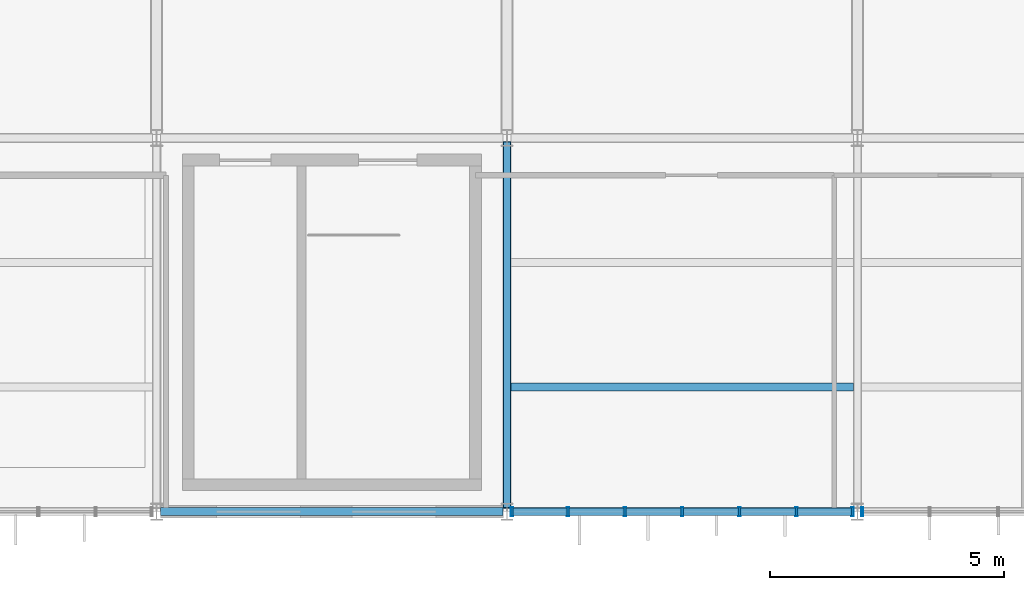
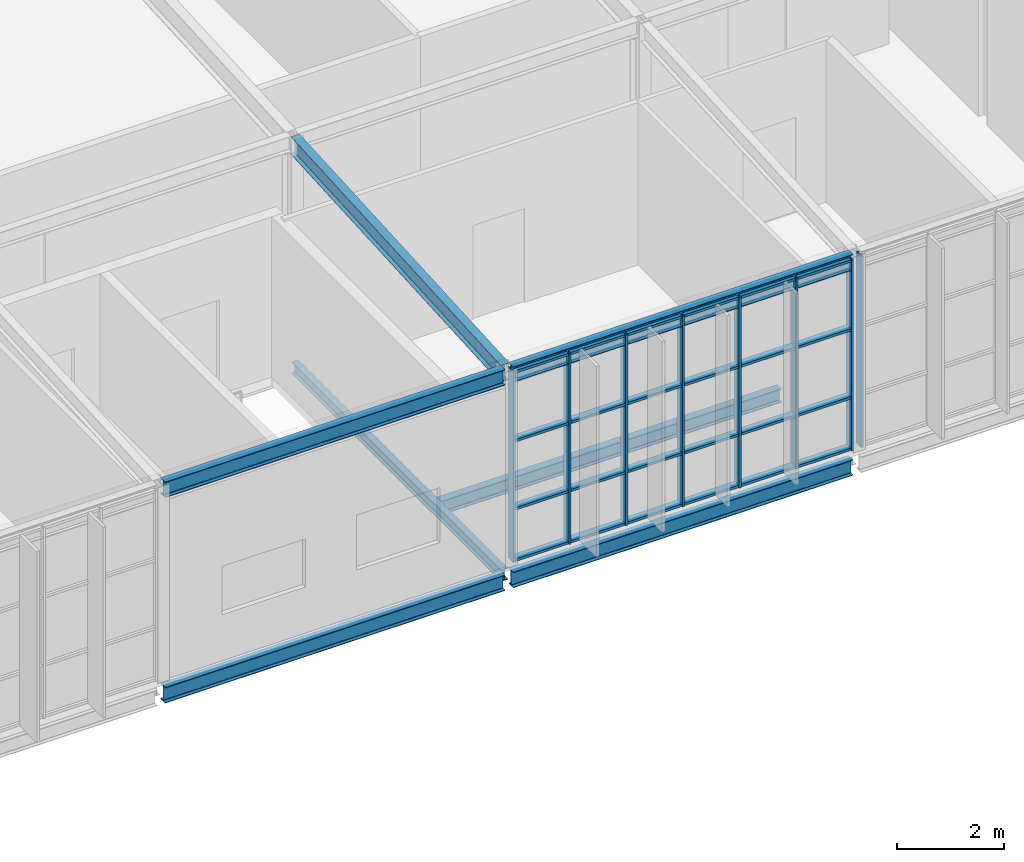
# One storey, part 22 of 104: 32 members, 7 beams, 2 elements without a shape of their own.
"""IFC4 building model written with IfcOpenShell, lengths in metres."""

from ifc_helpers import new_model, si_unit, direction, frame, origin, origin_2d, place, context, subcontext, project, spatial, hollow_rectangle, i_section, extrude, material, layer, layer_set, material_profile, profile_set, type_object, element, aggregate, save


model = new_model("IFC4")

# Units and contexts
model_context = context("Model", 3, precision=1e-05, world=origin(), true_north=direction((0.0, 1.0)))
body_context = subcontext(model_context, "Body", "Model", "MODEL_VIEW")
ifc_project = project(units=[si_unit("LENGTHUNIT", "METRE"), si_unit("AREAUNIT", "SQUARE_METRE"), si_unit("VOLUMEUNIT", "CUBIC_METRE"), si_unit("PLANEANGLEUNIT", "RADIAN"), si_unit("MASSUNIT", "GRAM", prefix="KILO")], contexts=[model_context])

# Site, building, storey
site_placement = place(None, origin())
site = spatial("IfcSite", under=ifc_project, at=site_placement, CompositionType="ELEMENT")
building_placement = place(site_placement, origin())
building = spatial("IfcBuilding", under=site, at=building_placement, Name="Solvenia Promenade Tram Depot", CompositionType="ELEMENT")
storey_placement = place(building_placement, frame((0.0, 0.0, 9.0)))
storey = spatial("IfcBuildingStorey", under=building, at=storey_placement, Name="L02", CompositionType="ELEMENT", Elevation=9.0)

# Beam
ifc_material_1 = material(Name="Structural steel ASTM A992 Gr. 50", Category="steel")
ifc_material_profile_1 = material_profile(ifc_material_1, i_section(OverallWidth=0.178955078125, OverallDepth=0.409912109375, WebThickness=0.0087890625, FlangeThickness=0.014404296875, FilletRadius=0.011962890625, at=origin_2d()), Name="W410x67", Category="steel")
ifc_profile_set_1 = profile_set([ifc_material_profile_1], Name="Structural steel ASTM A992 Gr. 50")
beam_type_1 = type_object("IfcBeamType", Name="Beam-W410x67", PredefinedType="BEAM", material=ifc_profile_set_1)
beam_1_placement = place(storey_placement, frame((37.5, 0.0849609375, 4.2548828125), z_axis=(0.0, 0.998227697106, 0.059510206937), x_axis=(-1.0, 0.0, 0.0)))
element("IfcBeam", 1, at=beam_1_placement, inside=storey, type_object=beam_type_1, Name="Folded Wing Roof Rafter BM-L02-0852", PredefinedType="BEAM", context=body_context, shape_type="SweptSolid", body=[
    extrude(i_section(OverallWidth=0.178955078125, OverallDepth=0.409912109375, WebThickness=0.0087890625, FlangeThickness=0.014404296875, FilletRadius=0.011962890625, at=origin_2d()), origin(), (0.0, 0.0, 1.0), 7.843994140625),
])

# Curtain wall, members
ifc_material_2 = material(Name="Anodized aluminium AW-6063 T6", Category="aluminium")
ifc_layer_1 = layer(ifc_material_2, 0.179931640625, Name="Anodized aluminium AW-6063 T6", Category="aluminium")
ifc_layer_set_1 = layer_set([ifc_layer_1], Name="Anodized aluminium AW-6063 T6")
curtain_wall_type_1 = type_object("IfcCurtainWallType", Name="CW-Solar-1250", PredefinedType="NOTDEFINED", material=ifc_layer_set_1)
curtain_wall_1_placement = place(storey_placement, origin())
curtain_wall_1 = element("IfcCurtainWall", 2, at=curtain_wall_1_placement, inside=storey, type_object=curtain_wall_type_1, Name="Curtain Wall CW-V4S-L02-05", PredefinedType="NOTDEFINED")
ifc_material_profile_2 = material_profile(ifc_material_2, hollow_rectangle(XDim=0.199951171875, YDim=0.048095703125, WallThickness=0.00390625, at=origin_2d()), Name="ALU-M3", Category="aluminium")
ifc_profile_set_2 = profile_set([ifc_material_profile_2], Name="Anodized aluminium AW-6063 T6")
member_type_1 = type_object("IfcMemberType", Name="CWM-Mullion-3", PredefinedType="MULLION", material=ifc_profile_set_2)
member_1_placement = place(storey_placement, frame((37.60400390625, 0.0, 0.0), z_axis=(0.0, 0.0, 1.0), x_axis=(0.0, 1.0, 0.0)))
member_1 = element("IfcMember", 3, at=member_1_placement, type_object=member_type_1, Name="CW-6 mullion 1", PredefinedType="MULLION", context=body_context, shape_type="SweptSolid", body=[
    extrude(hollow_rectangle(XDim=0.199951171875, YDim=0.048095703125, WallThickness=0.00390625, at=origin_2d()), origin(), (0.0, 0.0, 1.0), 4.35009765625),
])
member_2_placement = place(storey_placement, frame((38.80322265625, 0.0, 0.0), z_axis=(0.0, 0.0, 1.0), x_axis=(0.0, 1.0, 0.0)))
member_2 = element("IfcMember", 4, at=member_2_placement, type_object=member_type_1, Name="CW-6 mullion 2", PredefinedType="MULLION", context=body_context, shape_type="SweptSolid", body=[
    extrude(hollow_rectangle(XDim=0.199951171875, YDim=0.048095703125, WallThickness=0.00390625, at=origin_2d()), origin(), (0.0, 0.0, 1.0), 4.35009765625),
])
member_3_placement = place(storey_placement, frame((40.026611328125, 0.0, 0.0), z_axis=(0.0, 0.0, 1.0), x_axis=(0.0, 1.0, 0.0)))
member_3 = element("IfcMember", 5, at=member_3_placement, type_object=member_type_1, Name="CW-6 mullion 3", PredefinedType="MULLION", context=body_context, shape_type="SweptSolid", body=[
    extrude(hollow_rectangle(XDim=0.199951171875, YDim=0.048095703125, WallThickness=0.00390625, at=origin_2d()), origin(), (0.0, 0.0, 1.0), 4.35009765625),
])
member_4_placement = place(storey_placement, frame((41.25, 0.0, 0.0), z_axis=(0.0, 0.0, 1.0), x_axis=(0.0, 1.0, 0.0)))
member_4 = element("IfcMember", 6, at=member_4_placement, type_object=member_type_1, Name="CW-6 mullion 4", PredefinedType="MULLION", context=body_context, shape_type="SweptSolid", body=[
    extrude(hollow_rectangle(XDim=0.199951171875, YDim=0.048095703125, WallThickness=0.00390625, at=origin_2d()), origin(), (0.0, 0.0, 1.0), 4.35009765625),
])
member_5_placement = place(storey_placement, frame((42.473388671875, 0.0, 0.0), z_axis=(0.0, 0.0, 1.0), x_axis=(0.0, 1.0, 0.0)))
member_5 = element("IfcMember", 7, at=member_5_placement, type_object=member_type_1, Name="CW-6 mullion 5", PredefinedType="MULLION", context=body_context, shape_type="SweptSolid", body=[
    extrude(hollow_rectangle(XDim=0.199951171875, YDim=0.048095703125, WallThickness=0.00390625, at=origin_2d()), origin(), (0.0, 0.0, 1.0), 4.35009765625),
])
member_6_placement = place(storey_placement, frame((43.69677734375, 0.0, 0.0), z_axis=(0.0, 0.0, 1.0), x_axis=(0.0, 1.0, 0.0)))
member_6 = element("IfcMember", 8, at=member_6_placement, type_object=member_type_1, Name="CW-6 mullion 6", PredefinedType="MULLION", context=body_context, shape_type="SweptSolid", body=[
    extrude(hollow_rectangle(XDim=0.199951171875, YDim=0.048095703125, WallThickness=0.00390625, at=origin_2d()), origin(), (0.0, 0.0, 1.0), 4.35009765625),
])
member_7_placement = place(storey_placement, frame((44.89599609375, 0.0, 0.0), z_axis=(0.0, 0.0, 1.0), x_axis=(0.0, 1.0, 0.0)))
member_7 = element("IfcMember", 9, at=member_7_placement, type_object=member_type_1, Name="CW-6 mullion 7", PredefinedType="MULLION", context=body_context, shape_type="SweptSolid", body=[
    extrude(hollow_rectangle(XDim=0.199951171875, YDim=0.048095703125, WallThickness=0.00390625, at=origin_2d()), origin(), (0.0, 0.0, 1.0), 4.35009765625),
])

# Curtain wall, member
ifc_layer_2 = layer(ifc_material_2, 0.179931640625, Name="Anodized aluminium AW-6063 T6", Category="aluminium")
ifc_layer_set_2 = layer_set([ifc_layer_2], Name="Anodized aluminium AW-6063 T6")
curtain_wall_type_2 = type_object("IfcCurtainWallType", Name="CW-Solar-1500", PredefinedType="NOTDEFINED", material=ifc_layer_set_2)
curtain_wall_2_placement = place(storey_placement, origin())
curtain_wall_2 = element("IfcCurtainWall", 10, at=curtain_wall_2_placement, inside=storey, type_object=curtain_wall_type_2, Name="Curtain Wall CW-V4S-L02-06", PredefinedType="NOTDEFINED")
member_8_placement = place(storey_placement, frame((45.10400390625, 0.0, 0.0), z_axis=(0.0, 0.0, 1.0), x_axis=(0.0, 1.0, 0.0)))
member_8 = element("IfcMember", 11, at=member_8_placement, type_object=member_type_1, Name="CW-7 mullion 1", PredefinedType="MULLION", context=body_context, shape_type="SweptSolid", body=[
    extrude(hollow_rectangle(XDim=0.199951171875, YDim=0.048095703125, WallThickness=0.00390625, at=origin_2d()), origin(), (0.0, 0.0, 1.0), 4.35009765625),
])
aggregate(curtain_wall_2, [member_8])

# Member
ifc_material_profile_3 = material_profile(ifc_material_2, hollow_rectangle(XDim=0.159912109375, YDim=0.05810546875, WallThickness=0.00390625, at=origin_2d()), Name="ALU-T3", Category="aluminium")
ifc_profile_set_3 = profile_set([ifc_material_profile_3], Name="Anodized aluminium AW-6063 T6")
member_type_2 = type_object("IfcMemberType", Name="CWT-Transom-3", PredefinedType="USERDEFINED", material=ifc_profile_set_3)
member_9_placement = place(storey_placement, frame((37.6279296875, 0.0, 0.029052734375), z_axis=(1.0, 0.0, 0.0), x_axis=(0.0, 1.0, 0.0)))
member_9 = element("IfcMember", 12, at=member_9_placement, type_object=member_type_2, Name="CW-6 transom 1.1", ObjectType="TRANSOM", PredefinedType="USERDEFINED", context=body_context, shape_type="SweptSolid", body=[
    extrude(hollow_rectangle(XDim=0.159912109375, YDim=0.05810546875, WallThickness=0.00390625, at=origin_2d()), origin(), (0.0, 0.0, 1.0), 1.1513671875),
])

member_10_placement = place(storey_placement, frame((37.6279296875, 0.0, 1.199951171875), z_axis=(1.0, 0.0, 0.0), x_axis=(0.0, 1.0, 0.0)))
member_10 = element("IfcMember", 13, at=member_10_placement, type_object=member_type_2, Name="CW-6 transom 1.2", ObjectType="TRANSOM", PredefinedType="USERDEFINED", context=body_context, shape_type="SweptSolid", body=[
    extrude(hollow_rectangle(XDim=0.159912109375, YDim=0.05810546875, WallThickness=0.00390625, at=origin_2d()), origin(), (0.0, 0.0, 1.0), 1.1513671875),
])

member_11_placement = place(storey_placement, frame((37.6279296875, 0.0, 2.75), z_axis=(1.0, 0.0, 0.0), x_axis=(0.0, 1.0, 0.0)))
member_11 = element("IfcMember", 14, at=member_11_placement, type_object=member_type_2, Name="CW-6 transom 1.3", ObjectType="TRANSOM", PredefinedType="USERDEFINED", context=body_context, shape_type="SweptSolid", body=[
    extrude(hollow_rectangle(XDim=0.159912109375, YDim=0.05810546875, WallThickness=0.00390625, at=origin_2d()), origin(), (0.0, 0.0, 1.0), 1.1513671875),
])

member_12_placement = place(storey_placement, frame((37.6279296875, 0.0, 4.321044921875), z_axis=(1.0, 0.0, 0.0), x_axis=(0.0, 1.0, 0.0)))
member_12 = element("IfcMember", 15, at=member_12_placement, type_object=member_type_2, Name="CW-6 transom 1.4", ObjectType="TRANSOM", PredefinedType="USERDEFINED", context=body_context, shape_type="SweptSolid", body=[
    extrude(hollow_rectangle(XDim=0.159912109375, YDim=0.05810546875, WallThickness=0.00390625, at=origin_2d()), origin(), (0.0, 0.0, 1.0), 1.1513671875),
])

member_13_placement = place(storey_placement, frame((38.827392578125, 0.0, 0.029052734375), z_axis=(1.0, 0.0, 0.0), x_axis=(0.0, 1.0, 0.0)))
member_13 = element("IfcMember", 16, at=member_13_placement, type_object=member_type_2, Name="CW-6 transom 2.1", ObjectType="TRANSOM", PredefinedType="USERDEFINED", context=body_context, shape_type="SweptSolid", body=[
    extrude(hollow_rectangle(XDim=0.159912109375, YDim=0.05810546875, WallThickness=0.00390625, at=origin_2d()), origin(), (0.0, 0.0, 1.0), 1.17529296875),
])

member_14_placement = place(storey_placement, frame((38.827392578125, 0.0, 1.199951171875), z_axis=(1.0, 0.0, 0.0), x_axis=(0.0, 1.0, 0.0)))
member_14 = element("IfcMember", 17, at=member_14_placement, type_object=member_type_2, Name="CW-6 transom 2.2", ObjectType="TRANSOM", PredefinedType="USERDEFINED", context=body_context, shape_type="SweptSolid", body=[
    extrude(hollow_rectangle(XDim=0.159912109375, YDim=0.05810546875, WallThickness=0.00390625, at=origin_2d()), origin(), (0.0, 0.0, 1.0), 1.17529296875),
])

member_15_placement = place(storey_placement, frame((38.827392578125, 0.0, 2.75), z_axis=(1.0, 0.0, 0.0), x_axis=(0.0, 1.0, 0.0)))
member_15 = element("IfcMember", 18, at=member_15_placement, type_object=member_type_2, Name="CW-6 transom 2.3", ObjectType="TRANSOM", PredefinedType="USERDEFINED", context=body_context, shape_type="SweptSolid", body=[
    extrude(hollow_rectangle(XDim=0.159912109375, YDim=0.05810546875, WallThickness=0.00390625, at=origin_2d()), origin(), (0.0, 0.0, 1.0), 1.17529296875),
])

member_16_placement = place(storey_placement, frame((38.827392578125, 0.0, 4.321044921875), z_axis=(1.0, 0.0, 0.0), x_axis=(0.0, 1.0, 0.0)))
member_16 = element("IfcMember", 19, at=member_16_placement, type_object=member_type_2, Name="CW-6 transom 2.4", ObjectType="TRANSOM", PredefinedType="USERDEFINED", context=body_context, shape_type="SweptSolid", body=[
    extrude(hollow_rectangle(XDim=0.159912109375, YDim=0.05810546875, WallThickness=0.00390625, at=origin_2d()), origin(), (0.0, 0.0, 1.0), 1.17529296875),
])

member_17_placement = place(storey_placement, frame((40.05078125, 0.0, 0.029052734375), z_axis=(1.0, 0.0, 0.0), x_axis=(0.0, 1.0, 0.0)))
member_17 = element("IfcMember", 20, at=member_17_placement, type_object=member_type_2, Name="CW-6 transom 3.1", ObjectType="TRANSOM", PredefinedType="USERDEFINED", context=body_context, shape_type="SweptSolid", body=[
    extrude(hollow_rectangle(XDim=0.159912109375, YDim=0.05810546875, WallThickness=0.00390625, at=origin_2d()), origin(), (0.0, 0.0, 1.0), 1.17529296875),
])

member_18_placement = place(storey_placement, frame((40.05078125, 0.0, 1.199951171875), z_axis=(1.0, 0.0, 0.0), x_axis=(0.0, 1.0, 0.0)))
member_18 = element("IfcMember", 21, at=member_18_placement, type_object=member_type_2, Name="CW-6 transom 3.2", ObjectType="TRANSOM", PredefinedType="USERDEFINED", context=body_context, shape_type="SweptSolid", body=[
    extrude(hollow_rectangle(XDim=0.159912109375, YDim=0.05810546875, WallThickness=0.00390625, at=origin_2d()), origin(), (0.0, 0.0, 1.0), 1.17529296875),
])

member_19_placement = place(storey_placement, frame((40.05078125, 0.0, 2.75), z_axis=(1.0, 0.0, 0.0), x_axis=(0.0, 1.0, 0.0)))
member_19 = element("IfcMember", 22, at=member_19_placement, type_object=member_type_2, Name="CW-6 transom 3.3", ObjectType="TRANSOM", PredefinedType="USERDEFINED", context=body_context, shape_type="SweptSolid", body=[
    extrude(hollow_rectangle(XDim=0.159912109375, YDim=0.05810546875, WallThickness=0.00390625, at=origin_2d()), origin(), (0.0, 0.0, 1.0), 1.17529296875),
])

member_20_placement = place(storey_placement, frame((40.05078125, 0.0, 4.321044921875), z_axis=(1.0, 0.0, 0.0), x_axis=(0.0, 1.0, 0.0)))
member_20 = element("IfcMember", 23, at=member_20_placement, type_object=member_type_2, Name="CW-6 transom 3.4", ObjectType="TRANSOM", PredefinedType="USERDEFINED", context=body_context, shape_type="SweptSolid", body=[
    extrude(hollow_rectangle(XDim=0.159912109375, YDim=0.05810546875, WallThickness=0.00390625, at=origin_2d()), origin(), (0.0, 0.0, 1.0), 1.17529296875),
])

member_21_placement = place(storey_placement, frame((41.27392578125, 0.0, 0.029052734375), z_axis=(1.0, 0.0, 0.0), x_axis=(0.0, 1.0, 0.0)))
member_21 = element("IfcMember", 24, at=member_21_placement, type_object=member_type_2, Name="CW-6 transom 4.1", ObjectType="TRANSOM", PredefinedType="USERDEFINED", context=body_context, shape_type="SweptSolid", body=[
    extrude(hollow_rectangle(XDim=0.159912109375, YDim=0.05810546875, WallThickness=0.00390625, at=origin_2d()), origin(), (0.0, 0.0, 1.0), 1.17529296875),
])

member_22_placement = place(storey_placement, frame((41.27392578125, 0.0, 1.199951171875), z_axis=(1.0, 0.0, 0.0), x_axis=(0.0, 1.0, 0.0)))
member_22 = element("IfcMember", 25, at=member_22_placement, type_object=member_type_2, Name="CW-6 transom 4.2", ObjectType="TRANSOM", PredefinedType="USERDEFINED", context=body_context, shape_type="SweptSolid", body=[
    extrude(hollow_rectangle(XDim=0.159912109375, YDim=0.05810546875, WallThickness=0.00390625, at=origin_2d()), origin(), (0.0, 0.0, 1.0), 1.17529296875),
])

member_23_placement = place(storey_placement, frame((41.27392578125, 0.0, 2.75), z_axis=(1.0, 0.0, 0.0), x_axis=(0.0, 1.0, 0.0)))
member_23 = element("IfcMember", 26, at=member_23_placement, type_object=member_type_2, Name="CW-6 transom 4.3", ObjectType="TRANSOM", PredefinedType="USERDEFINED", context=body_context, shape_type="SweptSolid", body=[
    extrude(hollow_rectangle(XDim=0.159912109375, YDim=0.05810546875, WallThickness=0.00390625, at=origin_2d()), origin(), (0.0, 0.0, 1.0), 1.17529296875),
])

member_24_placement = place(storey_placement, frame((41.27392578125, 0.0, 4.321044921875), z_axis=(1.0, 0.0, 0.0), x_axis=(0.0, 1.0, 0.0)))
member_24 = element("IfcMember", 27, at=member_24_placement, type_object=member_type_2, Name="CW-6 transom 4.4", ObjectType="TRANSOM", PredefinedType="USERDEFINED", context=body_context, shape_type="SweptSolid", body=[
    extrude(hollow_rectangle(XDim=0.159912109375, YDim=0.05810546875, WallThickness=0.00390625, at=origin_2d()), origin(), (0.0, 0.0, 1.0), 1.17529296875),
])

member_25_placement = place(storey_placement, frame((42.497314453125, 0.0, 0.029052734375), z_axis=(1.0, 0.0, 0.0), x_axis=(0.0, 1.0, 0.0)))
member_25 = element("IfcMember", 28, at=member_25_placement, type_object=member_type_2, Name="CW-6 transom 5.1", ObjectType="TRANSOM", PredefinedType="USERDEFINED", context=body_context, shape_type="SweptSolid", body=[
    extrude(hollow_rectangle(XDim=0.159912109375, YDim=0.05810546875, WallThickness=0.00390625, at=origin_2d()), origin(), (0.0, 0.0, 1.0), 1.17529296875),
])

member_26_placement = place(storey_placement, frame((42.497314453125, 0.0, 1.199951171875), z_axis=(1.0, 0.0, 0.0), x_axis=(0.0, 1.0, 0.0)))
member_26 = element("IfcMember", 29, at=member_26_placement, type_object=member_type_2, Name="CW-6 transom 5.2", ObjectType="TRANSOM", PredefinedType="USERDEFINED", context=body_context, shape_type="SweptSolid", body=[
    extrude(hollow_rectangle(XDim=0.159912109375, YDim=0.05810546875, WallThickness=0.00390625, at=origin_2d()), origin(), (0.0, 0.0, 1.0), 1.17529296875),
])

member_27_placement = place(storey_placement, frame((42.497314453125, 0.0, 2.75), z_axis=(1.0, 0.0, 0.0), x_axis=(0.0, 1.0, 0.0)))
member_27 = element("IfcMember", 30, at=member_27_placement, type_object=member_type_2, Name="CW-6 transom 5.3", ObjectType="TRANSOM", PredefinedType="USERDEFINED", context=body_context, shape_type="SweptSolid", body=[
    extrude(hollow_rectangle(XDim=0.159912109375, YDim=0.05810546875, WallThickness=0.00390625, at=origin_2d()), origin(), (0.0, 0.0, 1.0), 1.17529296875),
])

member_28_placement = place(storey_placement, frame((42.497314453125, 0.0, 4.321044921875), z_axis=(1.0, 0.0, 0.0), x_axis=(0.0, 1.0, 0.0)))
member_28 = element("IfcMember", 31, at=member_28_placement, type_object=member_type_2, Name="CW-6 transom 5.4", ObjectType="TRANSOM", PredefinedType="USERDEFINED", context=body_context, shape_type="SweptSolid", body=[
    extrude(hollow_rectangle(XDim=0.159912109375, YDim=0.05810546875, WallThickness=0.00390625, at=origin_2d()), origin(), (0.0, 0.0, 1.0), 1.17529296875),
])

member_29_placement = place(storey_placement, frame((43.720703125, 0.0, 0.029052734375), z_axis=(1.0, 0.0, 0.0), x_axis=(0.0, 1.0, 0.0)))
member_29 = element("IfcMember", 32, at=member_29_placement, type_object=member_type_2, Name="CW-6 transom 6.1", ObjectType="TRANSOM", PredefinedType="USERDEFINED", context=body_context, shape_type="SweptSolid", body=[
    extrude(hollow_rectangle(XDim=0.159912109375, YDim=0.05810546875, WallThickness=0.00390625, at=origin_2d()), origin(), (0.0, 0.0, 1.0), 1.1513671875),
])

member_30_placement = place(storey_placement, frame((43.720703125, 0.0, 1.199951171875), z_axis=(1.0, 0.0, 0.0), x_axis=(0.0, 1.0, 0.0)))
member_30 = element("IfcMember", 33, at=member_30_placement, type_object=member_type_2, Name="CW-6 transom 6.2", ObjectType="TRANSOM", PredefinedType="USERDEFINED", context=body_context, shape_type="SweptSolid", body=[
    extrude(hollow_rectangle(XDim=0.159912109375, YDim=0.05810546875, WallThickness=0.00390625, at=origin_2d()), origin(), (0.0, 0.0, 1.0), 1.1513671875),
])

member_31_placement = place(storey_placement, frame((43.720703125, 0.0, 2.75), z_axis=(1.0, 0.0, 0.0), x_axis=(0.0, 1.0, 0.0)))
member_31 = element("IfcMember", 34, at=member_31_placement, type_object=member_type_2, Name="CW-6 transom 6.3", ObjectType="TRANSOM", PredefinedType="USERDEFINED", context=body_context, shape_type="SweptSolid", body=[
    extrude(hollow_rectangle(XDim=0.159912109375, YDim=0.05810546875, WallThickness=0.00390625, at=origin_2d()), origin(), (0.0, 0.0, 1.0), 1.1513671875),
])

member_32_placement = place(storey_placement, frame((43.720703125, 0.0, 4.321044921875), z_axis=(1.0, 0.0, 0.0), x_axis=(0.0, 1.0, 0.0)))
member_32 = element("IfcMember", 35, at=member_32_placement, type_object=member_type_2, Name="CW-6 transom 6.4", ObjectType="TRANSOM", PredefinedType="USERDEFINED", context=body_context, shape_type="SweptSolid", body=[
    extrude(hollow_rectangle(XDim=0.159912109375, YDim=0.05810546875, WallThickness=0.00390625, at=origin_2d()), origin(), (0.0, 0.0, 1.0), 1.1513671875),
])

aggregate(curtain_wall_1, [member_1, member_2, member_3, member_4, member_5, member_6, member_7, member_9, member_10, member_11, member_12, member_13, member_14, member_15, member_16, member_17, member_18, member_19, member_20, member_21, member_22, member_23, member_24, member_25, member_26, member_27, member_28, member_29, member_30, member_31, member_32])

# Beams
ifc_material_profile_4 = material_profile(ifc_material_1, i_section(OverallWidth=0.14697265625, OverallDepth=0.261962890625, WebThickness=0.006591796875, FlangeThickness=0.01123046875, FilletRadius=0.010009765625, at=origin_2d()), Name="W250x39", Category="steel")
ifc_profile_set_4 = profile_set([ifc_material_profile_4], Name="Structural steel ASTM A992 Gr. 50")
beam_type_2 = type_object("IfcBeamType", Name="Joist-W250x39", PredefinedType="JOIST", material=ifc_profile_set_4)
beam_2_placement = place(storey_placement, frame((37.5, 0.0849609375, -0.35107421875), z_axis=(0.0, 1.0, 0.0), x_axis=(-1.0, 0.0, 0.0)))
element("IfcBeam", 36, at=beam_2_placement, inside=storey, type_object=beam_type_2, Name="Transverse Girder BM-L02-0552", PredefinedType="JOIST", context=body_context, shape_type="SweptSolid", body=[
    extrude(i_section(OverallWidth=0.14697265625, OverallDepth=0.261962890625, WebThickness=0.006591796875, FlangeThickness=0.01123046875, FilletRadius=0.010009765625, at=origin_2d()), origin(), (0.0, 0.0, 1.0), 7.830078125),
])
ifc_material_profile_5 = material_profile(ifc_material_1, i_section(OverallWidth=0.166015625, OverallDepth=0.31298828125, WebThickness=0.006591796875, FlangeThickness=0.01123046875, FilletRadius=0.010009765625, at=origin_2d()), Name="W310x45", Category="steel")
ifc_profile_set_5 = profile_set([ifc_material_profile_5], Name="Structural steel ASTM A992 Gr. 50")
beam_type_3 = type_object("IfcBeamType", Name="Joist-W310x45", PredefinedType="JOIST", material=ifc_profile_set_5)
beam_3_placement = place(storey_placement, frame((37.5849609375, 2.666748046875, -0.37646484375), z_axis=(1.0, 0.0, 0.0), x_axis=(0.0, 1.0, 0.0)))
element("IfcBeam", 37, at=beam_3_placement, inside=storey, type_object=beam_type_3, Name="Secondary Floor Joist BM-L02-0583", PredefinedType="JOIST", context=body_context, shape_type="SweptSolid", body=[
    extrude(i_section(OverallWidth=0.166015625, OverallDepth=0.31298828125, WebThickness=0.006591796875, FlangeThickness=0.01123046875, FilletRadius=0.010009765625, at=origin_2d()), origin(), (0.0, 0.0, 1.0), 7.330078125),
])
ifc_material_profile_6 = material_profile(ifc_material_1, i_section(OverallWidth=0.172119140625, OverallDepth=0.35791015625, WebThickness=0.0078125, FlangeThickness=0.01318359375, FilletRadius=0.010986328125, at=origin_2d()), Name="W360x57", Category="steel")
ifc_profile_set_6 = profile_set([ifc_material_profile_6], Name="Structural steel ASTM A992 Gr. 50")
beam_type_4 = type_object("IfcBeamType", Name="Spandrel-W360x57", PredefinedType="SPANDREL", material=ifc_profile_set_6)
for number, where, z_axis, x_axis, name in (
    (38, (30.0849609375, 0.0, -0.39892578125), (1.0, 0.0, 0.0), (0.0, 1.0, 0.0), "Perimeter Spandrel BM-L02-0526"),
    (39, (37.5849609375, 0.0, -0.39892578125), (1.0, 0.0, 0.0), (0.0, 1.0, 0.0), "Perimeter Spandrel BM-L02-0527"),
    (40, (30.0849609375, 0.0, 4.281005859375), (1.0, 0.0, 0.0), (0.0, 1.0, 0.0), "Folded Wing Roof Eave Beam BM-L02-0870"),
    (41, (37.5849609375, 0.0, 4.281005859375), (1.0, 0.0, 0.0), (0.0, 1.0, 0.0), "Folded Wing Roof Eave Beam BM-L02-0873"),
):
    element("IfcBeam", number, at=place(storey_placement, frame(where, z_axis=z_axis, x_axis=x_axis)), inside=storey, type_object=beam_type_4, Name=name, PredefinedType="SPANDREL", context=body_context, shape_type="SweptSolid", body=[
        extrude(i_section(OverallWidth=0.172119140625, OverallDepth=0.35791015625, WebThickness=0.0078125, FlangeThickness=0.01318359375, FilletRadius=0.010986328125, at=origin_2d()), origin(), (0.0, 0.0, 1.0), 7.330078125),
    ])

save(model, "model.ifc")
